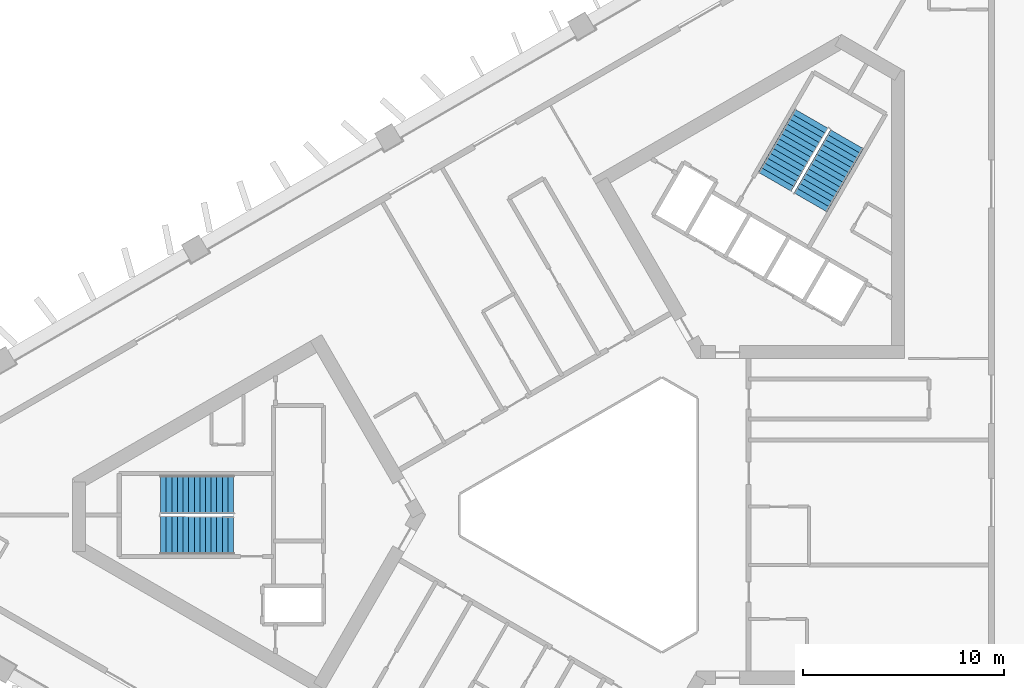
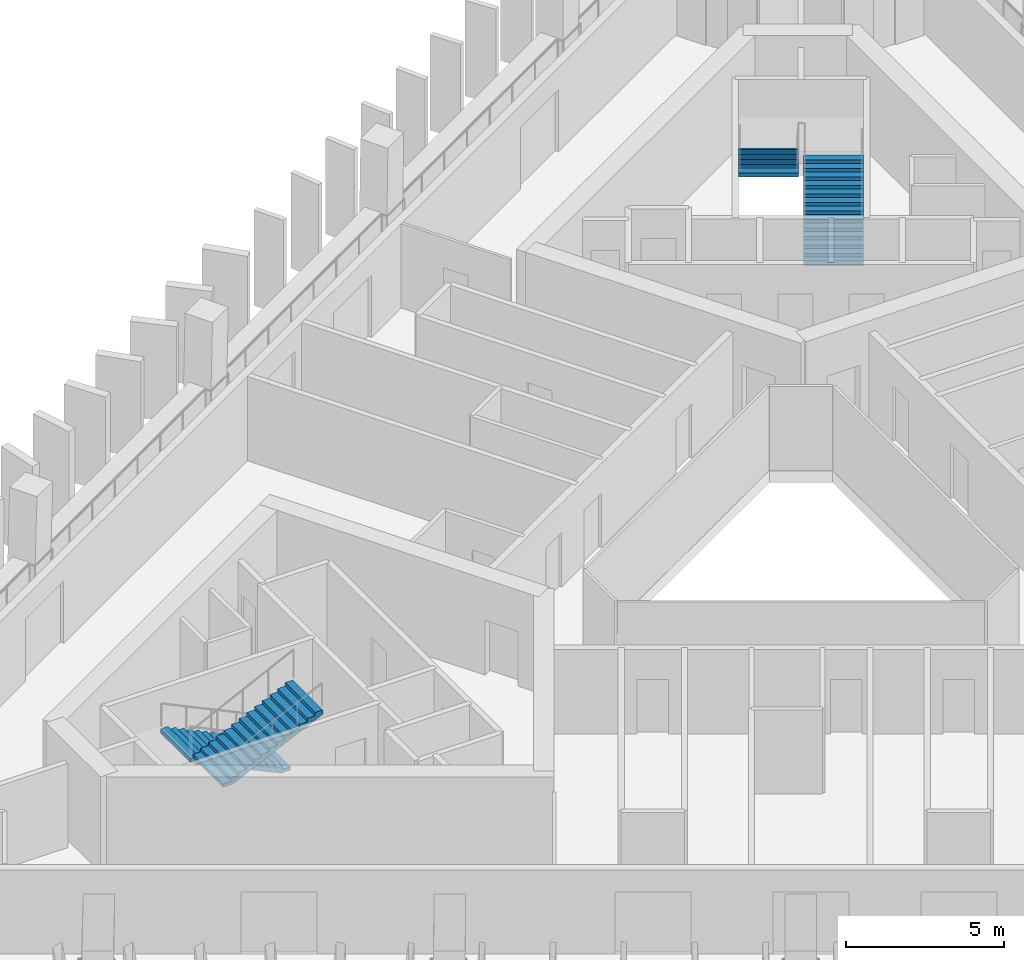
# One storey, part 7 of 11: 4 stair flights, 2 elements without a shape of their own.
"""IFC4 building model written with IfcOpenShell, lengths in metres."""

from ifc_helpers import new_model, si_unit, direction, frame, origin, place, context, subcontext, project, spatial, polyline, outline, extrude, material, type_object, element, aggregate, save


model = new_model("IFC4")

# Units and contexts
model_context = context("Model", 3, precision=1e-05, world=origin(), true_north=direction((0.0, 1.0)))
body_context = subcontext(model_context, "Body", "Model", "MODEL_VIEW")
ifc_project = project(units=[si_unit("LENGTHUNIT", "METRE"), si_unit("AREAUNIT", "SQUARE_METRE"), si_unit("VOLUMEUNIT", "CUBIC_METRE"), si_unit("PLANEANGLEUNIT", "RADIAN"), si_unit("MASSUNIT", "GRAM", prefix="KILO")], contexts=[model_context])

# Site, building, storey
site_placement = place(None, origin())
site = spatial("IfcSite", under=ifc_project, at=site_placement, CompositionType="ELEMENT")
building_placement = place(site_placement, origin())
building = spatial("IfcBuilding", under=site, at=building_placement, Name="Jabali Bay Hotel Tower and Convention Centre", CompositionType="ELEMENT")
storey_placement = place(building_placement, frame((0.0, 0.0, 143.800048828125)))
storey = spatial("IfcBuildingStorey", under=building, at=storey_placement, Name="L35", CompositionType="ELEMENT", Elevation=143.800048828125)

# Stair, stair flights
ifc_material = material(Name="Concrete C40", Category="concrete")
stair_type = type_object("IfcStairType", Name="Exit stair 1900", PredefinedType="HALF_TURN_STAIR", material=ifc_material)
stair_1_placement = place(storey_placement, origin())
stair_1 = element("IfcStair", 1, at=stair_1_placement, inside=storey, type_object=stair_type, Name="L35 Exit Stair 1", PredefinedType="HALF_TURN_STAIR")
stair_flight_type = type_object("IfcStairFlightType", Name="Stair flight concrete 150", PredefinedType="STRAIGHT", material=ifc_material)
stair_flight_1_placement = place(storey_placement, frame((56.419921875, 81.02490234375, 0.0), z_axis=(0.0, 0.0, 1.0), x_axis=(-1.0, 0.0, 0.0)))
stair_flight_1 = element("IfcStairFlight", 2, at=stair_flight_1_placement, type_object=stair_flight_type, Name="ST1 flight 1", NumberOfRisers=14, NumberOfTreads=13, PredefinedType="STRAIGHT", RiserHeight=0.132142857, TreadLength=0.28, context=body_context, shape_type="SweptSolid", body=[
    extrude(outline(polyline([(0.0, 0.0), (0.0, 0.132080078125), (0.280029296875, 0.132080078125), (0.280029296875, 0.264404296875), (0.56005859375, 0.264404296875), (0.56005859375, 0.396484375), (0.840087890625, 0.396484375), (0.840087890625, 0.528564453125), (1.1201171875, 0.528564453125), (1.1201171875, 0.66064453125), (1.39990234375, 0.66064453125), (1.39990234375, 0.79296875), (1.679931640625, 0.79296875), (1.679931640625, 0.925048828125), (1.9599609375, 0.925048828125), (1.9599609375, 1.05712890625), (2.239990234375, 1.05712890625), (2.239990234375, 1.189208984375), (2.52001953125, 1.189208984375), (2.52001953125, 1.321533203125), (2.800048828125, 1.321533203125), (2.800048828125, 1.45361328125), (3.080078125, 1.45361328125), (3.080078125, 1.585693359375), (3.360107421875, 1.585693359375), (3.360107421875, 1.7177734375), (3.639892578125, 1.7177734375), (3.639892578125, 1.85009765625), (3.639892578125, 1.552001953125), (0.351318359375, 0.0), (0.0, 0.0)])), frame((0.0, 0.949951171875, 0.0), z_axis=(0.0, -1.0, 0.0), x_axis=(1.0, 0.0, 0.0)), (0.0, 0.0, 1.0), 1.89990234375),
])
stair_flight_2_placement = place(storey_placement, frame((52.780029296875, 78.97509765625, 1.849853515625), z_axis=(0.0, 0.0, 1.0), x_axis=(1.0, 0.0, 0.0)))
stair_flight_2 = element("IfcStairFlight", 3, at=stair_flight_2_placement, type_object=stair_flight_type, Name="ST1 flight 2", NumberOfRisers=14, NumberOfTreads=13, PredefinedType="STRAIGHT", RiserHeight=0.132142857, TreadLength=0.28, context=body_context, shape_type="SweptSolid", body=[
    extrude(outline(polyline([(0.0, 0.0), (0.0, 0.132080078125), (0.280029296875, 0.132080078125), (0.280029296875, 0.264404296875), (0.56005859375, 0.264404296875), (0.56005859375, 0.396484375), (0.840087890625, 0.396484375), (0.840087890625, 0.528564453125), (1.1201171875, 0.528564453125), (1.1201171875, 0.66064453125), (1.39990234375, 0.66064453125), (1.39990234375, 0.79296875), (1.679931640625, 0.79296875), (1.679931640625, 0.925048828125), (1.9599609375, 0.925048828125), (1.9599609375, 1.05712890625), (2.239990234375, 1.05712890625), (2.239990234375, 1.189208984375), (2.52001953125, 1.189208984375), (2.52001953125, 1.321533203125), (2.800048828125, 1.321533203125), (2.800048828125, 1.45361328125), (3.080078125, 1.45361328125), (3.080078125, 1.585693359375), (3.360107421875, 1.585693359375), (3.360107421875, 1.7177734375), (3.639892578125, 1.7177734375), (3.639892578125, 1.85009765625), (3.639892578125, 1.552001953125), (0.351318359375, 0.0), (0.0, 0.0)])), frame((0.0, 0.949951171875, 0.0), z_axis=(0.0, -1.0, 0.0), x_axis=(1.0, 0.0, 0.0)), (0.0, 0.0, 1.0), 1.89990234375),
])
aggregate(stair_1, [stair_flight_1, stair_flight_2])

stair_2_placement = place(storey_placement, origin())
stair_2 = element("IfcStair", 4, at=stair_2_placement, inside=storey, type_object=stair_type, Name="L35 Exit Stair 2", PredefinedType="HALF_TURN_STAIR")
stair_flight_3_placement = place(storey_placement, frame((85.177734375, 95.578369140625, 0.0), z_axis=(0.0, 0.0, 1.0), x_axis=(0.5, 0.866025403784, 0.0)))
stair_flight_3 = element("IfcStairFlight", 5, at=stair_flight_3_placement, type_object=stair_flight_type, Name="ST2 flight 1", NumberOfRisers=14, NumberOfTreads=13, PredefinedType="STRAIGHT", RiserHeight=0.132142857, TreadLength=0.28, context=body_context, shape_type="SweptSolid", body=[
    extrude(outline(polyline([(0.0, 0.0), (0.0, 0.132080078125), (0.280029296875, 0.132080078125), (0.280029296875, 0.264404296875), (0.56005859375, 0.264404296875), (0.56005859375, 0.396484375), (0.840087890625, 0.396484375), (0.840087890625, 0.528564453125), (1.1201171875, 0.528564453125), (1.1201171875, 0.66064453125), (1.39990234375, 0.66064453125), (1.39990234375, 0.79296875), (1.679931640625, 0.79296875), (1.679931640625, 0.925048828125), (1.9599609375, 0.925048828125), (1.9599609375, 1.05712890625), (2.239990234375, 1.05712890625), (2.239990234375, 1.189208984375), (2.52001953125, 1.189208984375), (2.52001953125, 1.321533203125), (2.800048828125, 1.321533203125), (2.800048828125, 1.45361328125), (3.080078125, 1.45361328125), (3.080078125, 1.585693359375), (3.360107421875, 1.585693359375), (3.360107421875, 1.7177734375), (3.639892578125, 1.7177734375), (3.639892578125, 1.85009765625), (3.639892578125, 1.552001953125), (0.351318359375, 0.0), (0.0, 0.0)])), frame((0.0, 0.949951171875, 0.0), z_axis=(0.0, -1.0, 0.0), x_axis=(1.0, 0.0, 0.0)), (0.0, 0.0, 1.0), 1.89990234375),
])
stair_flight_4_placement = place(storey_placement, frame((85.222412109375, 99.755615234375, 1.849853515625), z_axis=(0.0, 0.0, 1.0), x_axis=(-0.5, -0.866025403784, 0.0)))
stair_flight_4 = element("IfcStairFlight", 6, at=stair_flight_4_placement, type_object=stair_flight_type, Name="ST2 flight 2", NumberOfRisers=14, NumberOfTreads=13, PredefinedType="STRAIGHT", RiserHeight=0.132142857, TreadLength=0.28, context=body_context, shape_type="SweptSolid", body=[
    extrude(outline(polyline([(0.0, 0.0), (0.0, 0.132080078125), (0.280029296875, 0.132080078125), (0.280029296875, 0.264404296875), (0.56005859375, 0.264404296875), (0.56005859375, 0.396484375), (0.840087890625, 0.396484375), (0.840087890625, 0.528564453125), (1.1201171875, 0.528564453125), (1.1201171875, 0.66064453125), (1.39990234375, 0.66064453125), (1.39990234375, 0.79296875), (1.679931640625, 0.79296875), (1.679931640625, 0.925048828125), (1.9599609375, 0.925048828125), (1.9599609375, 1.05712890625), (2.239990234375, 1.05712890625), (2.239990234375, 1.189208984375), (2.52001953125, 1.189208984375), (2.52001953125, 1.321533203125), (2.800048828125, 1.321533203125), (2.800048828125, 1.45361328125), (3.080078125, 1.45361328125), (3.080078125, 1.585693359375), (3.360107421875, 1.585693359375), (3.360107421875, 1.7177734375), (3.639892578125, 1.7177734375), (3.639892578125, 1.85009765625), (3.639892578125, 1.552001953125), (0.351318359375, 0.0), (0.0, 0.0)])), frame((0.0, 0.949951171875, 0.0), z_axis=(0.0, -1.0, 0.0), x_axis=(1.0, 0.0, 0.0)), (0.0, 0.0, 1.0), 1.89990234375),
])
aggregate(stair_2, [stair_flight_3, stair_flight_4])

save(model, "model.ifc")
